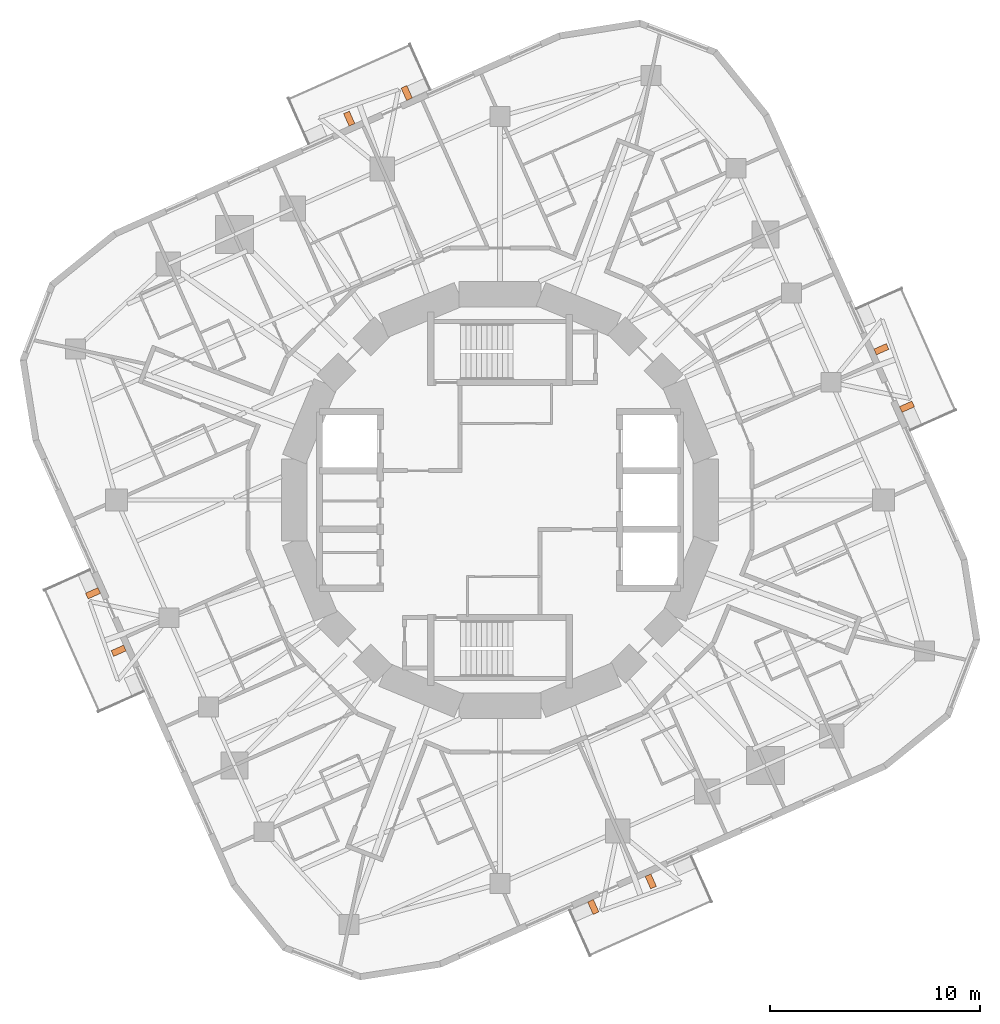
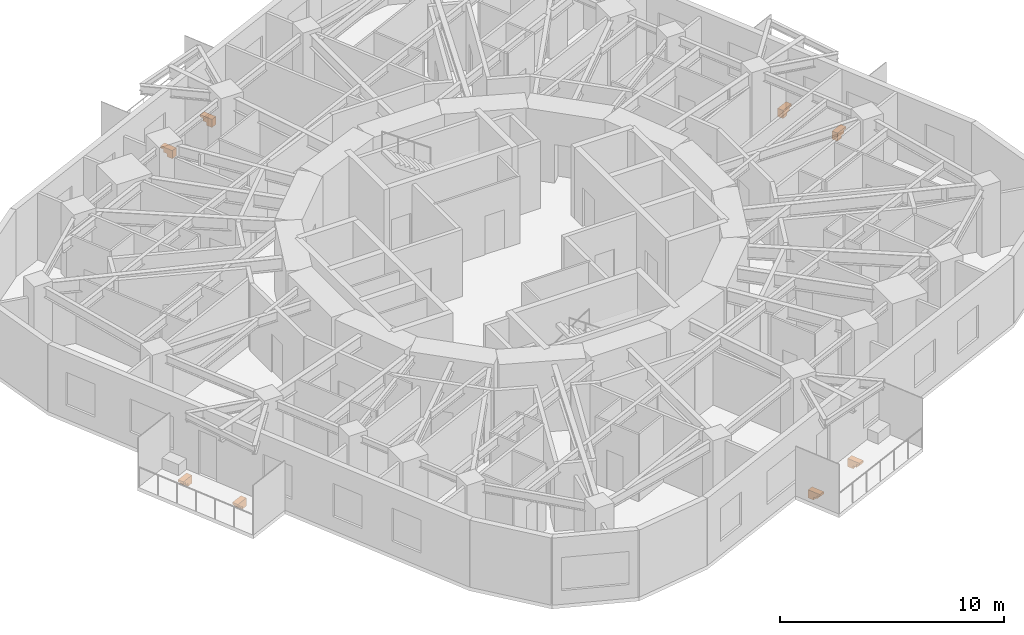
# One storey, part 12 of 12: 8 proxies.
"""IFC4 building model written with IfcOpenShell, lengths in metres."""

from ifc_helpers import new_model, si_unit, direction, frame, origin, place, context, subcontext, project, spatial, polyline, outline, extrude, material, type_object, element, save


model = new_model("IFC4")

# Units and contexts
model_context = context("Model", 3, precision=1e-05, world=origin(), true_north=direction((0.0, 1.0)))
body_context = subcontext(model_context, "Body", "Model", "MODEL_VIEW")
ifc_project = project(units=[si_unit("LENGTHUNIT", "METRE"), si_unit("AREAUNIT", "SQUARE_METRE"), si_unit("VOLUMEUNIT", "CUBIC_METRE"), si_unit("PLANEANGLEUNIT", "RADIAN"), si_unit("MASSUNIT", "GRAM", prefix="KILO")], contexts=[model_context])

# Site, building, storey
site_placement = place(None, origin())
site = spatial("IfcSite", under=ifc_project, at=site_placement, CompositionType="ELEMENT")
building_placement = place(site_placement, origin())
building = spatial("IfcBuilding", under=site, at=building_placement, Name="Nakasero Lantern House", CompositionType="ELEMENT")
storey_placement = place(building_placement, frame((0.0, 0.0, 194.0)))
storey = spatial("IfcBuildingStorey", under=building, at=storey_placement, Name="L47", CompositionType="ELEMENT", Elevation=194.0)

# Proxies
ifc_material = material(Name="Concrete C40/50 precast", Category="concrete")
building_element_proxy_type = type_object("IfcBuildingElementProxyType", Name="Balcony bracket 300", PredefinedType="USERDEFINED", material=ifc_material)
for number, where, z_axis, x_axis, name in (
    (1, (19.097412109375, 4.311767578125, -0.199951171875), (0.0, 0.0, 1.0), (0.913545458, 0.406736643, 0.0), "Balcony bracket L47 0A"),
    (2, (17.877197265625, 7.052490234375, -0.199951171875), (0.0, 0.0, 1.0), (0.913545458, 0.406736643, 0.0), "Balcony bracket L47 0B"),
    (3, (-4.311767578125, 19.097412109375, -0.199951171875), (0.0, 0.0, 1.0), (-0.406736643, 0.913545458, 0.0), "Balcony bracket L47 1A"),
    (4, (-7.052490234375, 17.877197265625, -0.199951171875), (0.0, 0.0, 1.0), (-0.406736643, 0.913545458, 0.0), "Balcony bracket L47 1B"),
    (5, (-19.097412109375, -4.311767578125, -0.199951171875), (0.0, 0.0, 1.0), (-0.913545458, -0.406736643, 0.0), "Balcony bracket L47 2A"),
    (6, (-17.877197265625, -7.052490234375, -0.199951171875), (0.0, 0.0, 1.0), (-0.913545458, -0.406736643, 0.0), "Balcony bracket L47 2B"),
    (7, (4.311767578125, -19.097412109375, -0.199951171875), (0.0, 0.0, 1.0), (0.406736643, -0.913545458, 0.0), "Balcony bracket L47 3A"),
    (8, (7.052490234375, -17.877197265625, -0.199951171875), (0.0, 0.0, 1.0), (0.406736643, -0.913545458, 0.0), "Balcony bracket L47 3B"),
):
    element("IfcBuildingElementProxy", number, at=place(storey_placement, frame(where, z_axis=z_axis, x_axis=x_axis)), inside=storey, type_object=building_element_proxy_type, Name=name, ObjectType="BALCONY BRACKET", PredefinedType="USERDEFINED", context=body_context, shape_type="SweptSolid", body=[
        extrude(outline(polyline([(0.0, 0.0), (0.64990234375, 0.0), (0.64990234375, -0.1201171875), (0.5, -0.1201171875), (0.5, -0.280029296875), (0.300048828125, -0.280029296875), (0.300048828125, -0.43994140625), (0.0, -0.43994140625), (0.0, 0.0)])), frame((0.0, 0.14990234375, 0.0), z_axis=(0.0, -1.0, 0.0), x_axis=(1.0, 0.0, 0.0)), (0.0, 0.0, 1.0), 0.300048828125),
    ])

save(model, "model.ifc")
